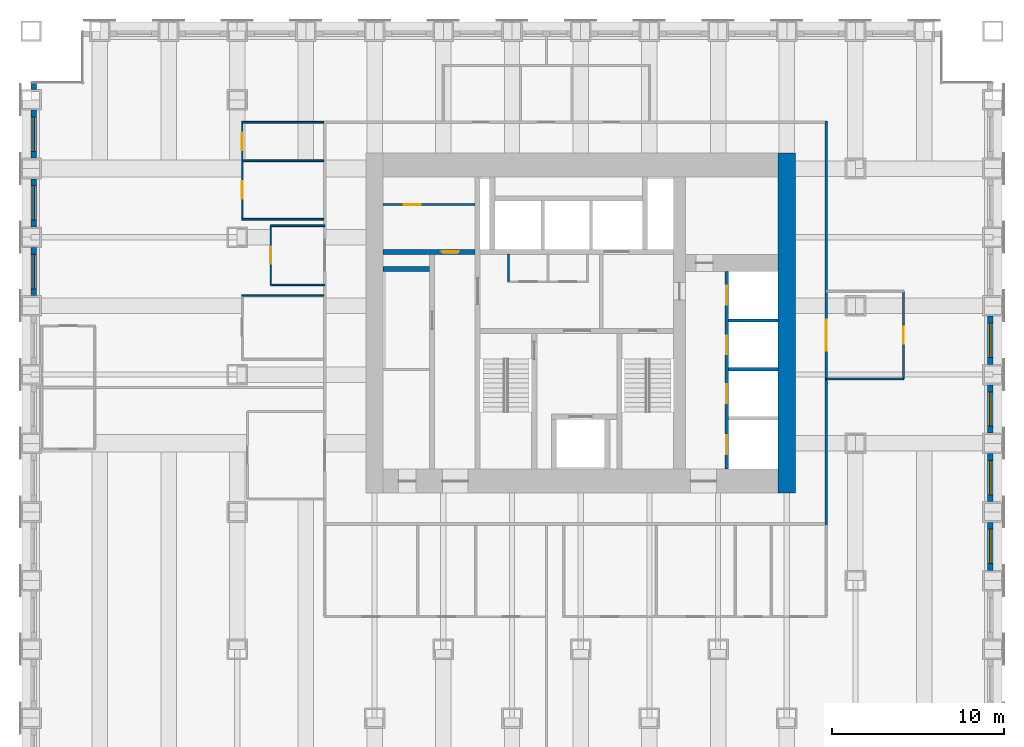
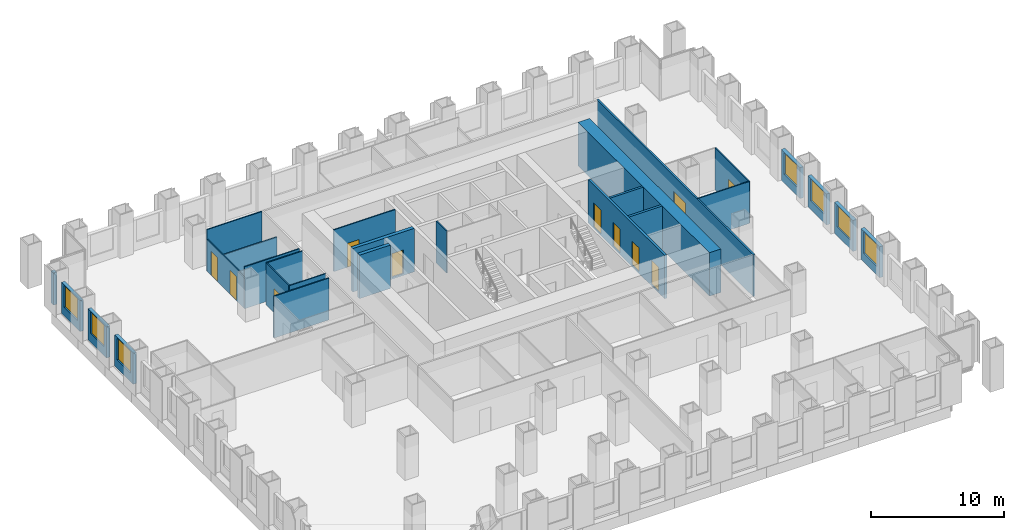
# One storey, part 11 of 15: 27 walls, 11 doors, 7 windows, 18 openings.
"""IFC4 building model written with IfcOpenShell, lengths in metres."""

from ifc_helpers import new_model, si_unit, direction, frame, frame_2d, origin, place, context, subcontext, project, spatial, rectangle, extrude, material, layer, layer_set, type_object, element, fill, save


model = new_model("IFC4")

# Units and contexts
model_context = context("Model", 3, precision=1e-05, world=origin(), true_north=direction((0.0, 1.0)))
body_context = subcontext(model_context, "Body", "Model", "MODEL_VIEW")
ifc_project = project(units=[si_unit("LENGTHUNIT", "METRE"), si_unit("AREAUNIT", "SQUARE_METRE"), si_unit("VOLUMEUNIT", "CUBIC_METRE"), si_unit("PLANEANGLEUNIT", "RADIAN"), si_unit("MASSUNIT", "GRAM", prefix="KILO")], contexts=[model_context])

# Site, building, storey
site_placement = place(None, origin())
site = spatial("IfcSite", under=ifc_project, at=site_placement, CompositionType="ELEMENT")
building_placement = place(site_placement, origin())
building = spatial("IfcBuilding", under=site, at=building_placement, Name="Rimbunsela Tower", CompositionType="ELEMENT")
storey_placement = place(building_placement, frame((0.0, 0.0, 27.0)))
storey = spatial("IfcBuildingStorey", under=building, at=storey_placement, Name="L06", CompositionType="ELEMENT", Elevation=27.0)

# Wall, opening, door
ifc_material_1 = material(Name="Concrete fc' 80 MPa", Category="concrete")
ifc_layer_1 = layer(ifc_material_1, 0.300048828125)
ifc_layer_set_1 = layer_set([ifc_layer_1], Name="Core internal wall 300")
wall_type_1 = type_object("IfcWallType", Name="Core internal wall 300", PredefinedType="SHEAR", material=ifc_layer_set_1)
wall_1_placement = place(storey_placement, frame((18.5, 31.14990234375, -0.14990234375), z_axis=(0.0, 0.0, 1.0), x_axis=(1.0, 0.0, 0.0)))
wall_1 = element("IfcWall", 1, at=wall_1_placement, inside=storey, type_object=wall_type_1, Name="Store wall", PredefinedType="SHEAR", context=body_context, shape_type="SweptSolid", body=[
    extrude(rectangle(XDim=5.35009765625, YDim=0.300048828125, at=frame_2d((2.675048828125, 0.0))), origin(), (0.0, 0.0, 1.0), 4.0),
])
opening_1_placement = place(wall_1_placement, frame((3.39990234375, 0.0, 0.14990234375)))
opening_1 = element("IfcOpeningElement", 2, at=opening_1_placement, cuts=wall_1, Name="Opening D19", PredefinedType="OPENING", context=body_context, shape_type="SweptSolid", body=[
    extrude(rectangle(XDim=1.0, YDim=2.199951171875, at=frame_2d((0.5, 1.10009765625))), frame((0.0, 0.159912109375, 0.0), z_axis=(0.0, -1.0, 0.0), x_axis=(1.0, 0.0, 0.0)), (0.0, 0.0, 1.0), 0.320068359375),
])
ifc_material_2 = material(Name="Steel door, fire rated", Category="steel")
door_type_1 = type_object("IfcDoorType", Name="Service door 1000 fire rated", OperationType="SINGLE_SWING_LEFT", PredefinedType="DOOR", material=ifc_material_2)
door_1_placement = place(opening_1_placement, origin())
door_1 = element("IfcDoor", 3, at=door_1_placement, inside=storey, type_object=door_type_1, Name="Cleaners store door", OperationType="SINGLE_SWING_LEFT", OverallHeight=2.199951171875, OverallWidth=1.0, PredefinedType="DOOR", context=body_context, shape_type="SweptSolid", body=[
    extrude(rectangle(XDim=1.0, YDim=2.199951171875, at=frame_2d((0.5, 1.10009765625))), frame((0.0, 0.02490234375, 0.0), z_axis=(0.0, -1.0, 0.0), x_axis=(1.0, 0.0, 0.0)), (0.0, 0.0, 1.0), 0.050048828125),
])
fill(opening_1, door_1)

# Wall
wall_2_placement = place(storey_placement, frame((18.5, 30.14990234375, -0.14990234375), z_axis=(0.0, 0.0, 1.0), x_axis=(1.0, 0.0, 0.0)))
element("IfcWall", 4, at=wall_2_placement, inside=storey, type_object=wall_type_1, Name="Lift shaft rear west", PredefinedType="SHEAR", context=body_context, shape_type="SweptSolid", body=[
    extrude(rectangle(XDim=2.699951171875, YDim=0.300048828125, at=frame_2d((1.35009765625, 0.0))), origin(), (0.0, 0.0, 1.0), 4.0),
])

# Wall, opening, door
ifc_material_3 = material(Name="Concrete blockwork", Category="masonry")
ifc_layer_2 = layer(ifc_material_3, 0.10009765625)
ifc_layer_set_2 = layer_set([ifc_layer_2], Name="Core room partition 100")
wall_type_2 = type_object("IfcWallType", Name="Core room partition 100", PredefinedType="PARTITIONING", material=ifc_layer_set_2)
wall_3_placement = place(storey_placement, frame((18.5, 33.89990234375, 0.0), z_axis=(0.0, 0.0, 1.0), x_axis=(1.0, 0.0, 0.0)))
wall_3 = element("IfcWall", 5, at=wall_3_placement, inside=storey, type_object=wall_type_2, Name="Equipment store wall", PredefinedType="PARTITIONING", context=body_context, shape_type="SweptSolid", body=[
    extrude(rectangle(XDim=5.35009765625, YDim=0.10009765625, at=frame_2d((2.675048828125, 0.0))), origin(), (0.0, 0.0, 1.0), 3.85009765625),
])
opening_2_placement = place(wall_3_placement, frame((1.199951171875, 0.0, 0.0)))
opening_2 = element("IfcOpeningElement", 6, at=opening_2_placement, cuts=wall_3, Name="Opening D19", PredefinedType="OPENING", context=body_context, shape_type="SweptSolid", body=[
    extrude(rectangle(XDim=1.0, YDim=2.199951171875, at=frame_2d((0.5, 1.10009765625))), frame((0.0, 0.06005859375, 0.0), z_axis=(0.0, -1.0, 0.0), x_axis=(1.0, 0.0, 0.0)), (0.0, 0.0, 1.0), 0.1201171875),
])
door_2_placement = place(opening_2_placement, origin())
door_2 = element("IfcDoor", 7, at=door_2_placement, inside=storey, type_object=door_type_1, Name="Equipment store door", OperationType="SINGLE_SWING_LEFT", OverallHeight=2.199951171875, OverallWidth=1.0, PredefinedType="DOOR", context=body_context, shape_type="SweptSolid", body=[
    extrude(rectangle(XDim=1.0, YDim=2.199951171875, at=frame_2d((0.5, 1.10009765625))), frame((0.0, 0.02490234375, 0.0), z_axis=(0.0, -1.0, 0.0), x_axis=(1.0, 0.0, 0.0)), (0.0, 0.0, 1.0), 0.050048828125),
])
fill(opening_2, door_2)

# Walls
wall_4_placement = place(storey_placement, frame((25.800048828125, 29.449951171875, 0.0), z_axis=(0.0, 0.0, 1.0), x_axis=(0.0, 1.0, 0.0)))
element("IfcWall", 8, at=wall_4_placement, inside=storey, type_object=wall_type_2, Name="Lobby room wall", PredefinedType="PARTITIONING", context=body_context, shape_type="SweptSolid", body=[
    extrude(rectangle(XDim=1.550048828125, YDim=0.10009765625, at=frame_2d((0.77490234375, 0.0))), origin(), (0.0, 0.0, 1.0), 3.85009765625),
])
ifc_material_4 = material(Name="Concrete fc' 80 MPa", Category="concrete")
ifc_layer_3 = layer(ifc_material_4, 1.0)
ifc_layer_set_3 = layer_set([ifc_layer_3], Name="Core wall 1000")
wall_type_3 = type_object("IfcWallType", Name="Core wall 1000", PredefinedType="SHEAR", material=ifc_layer_set_3)
wall_5_placement = place(storey_placement, frame((42.0, 17.10009765625, -0.14990234375), z_axis=(0.0, 0.0, 1.0), x_axis=(0.0, 1.0, 0.0)))
element("IfcWall", 9, at=wall_5_placement, inside=storey, type_object=wall_type_3, Name="Core wall east", PredefinedType="SHEAR", context=body_context, shape_type="SweptSolid", body=[
    extrude(rectangle(XDim=19.7998046875, YDim=1.0, at=frame_2d((9.89990234375, 0.0))), origin(), (0.0, 0.0, 1.0), 4.0),
])

# Wall, openings, doors
ifc_material_5 = material(Name="Concrete blockwork", Category="masonry")
ifc_layer_4 = layer(ifc_material_5, 0.199951171875)
ifc_layer_set_4 = layer_set([ifc_layer_4], Name="Lift shaft wall 200")
wall_type_4 = type_object("IfcWallType", Name="Lift shaft wall 200", PredefinedType="SOLIDWALL", material=ifc_layer_set_4)
wall_6_placement = place(storey_placement, frame((38.5, 18.5, -0.14990234375), z_axis=(0.0, 0.0, 1.0), x_axis=(0.0, 1.0, 0.0)))
wall_6 = element("IfcWall", 10, at=wall_6_placement, inside=storey, type_object=wall_type_4, Name="Lift shaft front east", PredefinedType="SOLIDWALL", context=body_context, shape_type="SweptSolid", body=[
    extrude(rectangle(XDim=11.5, YDim=0.199951171875, at=frame_2d((5.75, 0.0))), origin(), (0.0, 0.0, 1.0), 4.0),
])
opening_3_placement = place(wall_6_placement, frame((0.875, 0.0, 0.14990234375)))
opening_3 = element("IfcOpeningElement", 11, at=opening_3_placement, cuts=wall_6, Name="Opening LD1", PredefinedType="OPENING", context=body_context, shape_type="SweptSolid", body=[
    extrude(rectangle(XDim=1.10009765625, YDim=2.199951171875, at=frame_2d((0.550048828125, 1.10009765625))), frame((0.0, 0.10986328125, 0.0), z_axis=(0.0, -1.0, 0.0), x_axis=(1.0, 0.0, 0.0)), (0.0, 0.0, 1.0), 0.219970703125),
])
opening_4_placement = place(wall_6_placement, frame((3.824951171875, 0.0, 0.14990234375)))
opening_4 = element("IfcOpeningElement", 12, at=opening_4_placement, cuts=wall_6, Name="Opening LD1", PredefinedType="OPENING", context=body_context, shape_type="SweptSolid", body=[
    extrude(rectangle(XDim=1.10009765625, YDim=2.199951171875, at=frame_2d((0.550048828125, 1.10009765625))), frame((0.0, 0.10986328125, 0.0), z_axis=(0.0, -1.0, 0.0), x_axis=(1.0, 0.0, 0.0)), (0.0, 0.0, 1.0), 0.219970703125),
])
opening_5_placement = place(wall_6_placement, frame((6.675048828125, 0.0, 0.14990234375)))
opening_5 = element("IfcOpeningElement", 13, at=opening_5_placement, cuts=wall_6, Name="Opening LD1", PredefinedType="OPENING", context=body_context, shape_type="SweptSolid", body=[
    extrude(rectangle(XDim=1.10009765625, YDim=2.199951171875, at=frame_2d((0.550048828125, 1.10009765625))), frame((0.0, 0.10986328125, 0.0), z_axis=(0.0, -1.0, 0.0), x_axis=(1.0, 0.0, 0.0)), (0.0, 0.0, 1.0), 0.219970703125),
])
opening_6_placement = place(wall_6_placement, frame((9.574951171875, 0.0, 0.14990234375)))
opening_6 = element("IfcOpeningElement", 14, at=opening_6_placement, cuts=wall_6, Name="Opening LD1", PredefinedType="OPENING", context=body_context, shape_type="SweptSolid", body=[
    extrude(rectangle(XDim=1.10009765625, YDim=2.199951171875, at=frame_2d((0.550048828125, 1.10009765625))), frame((0.0, 0.10986328125, 0.0), z_axis=(0.0, -1.0, 0.0), x_axis=(1.0, 0.0, 0.0)), (0.0, 0.0, 1.0), 0.219970703125),
])
ifc_material_6 = material(Name="Steel door, fire rated", Category="steel")
door_type_2 = type_object("IfcDoorType", Name="Lift landing door 1100", OperationType="DOUBLE_DOOR_SLIDING", PredefinedType="DOOR", material=ifc_material_6)
door_3_placement = place(opening_3_placement, origin())
door_3 = element("IfcDoor", 15, at=door_3_placement, inside=storey, type_object=door_type_2, Name="Lift landing door LL1", OperationType="DOUBLE_DOOR_SLIDING", OverallHeight=2.199951171875, OverallWidth=1.10009765625, PredefinedType="DOOR", context=body_context, shape_type="SweptSolid", body=[
    extrude(rectangle(XDim=1.10009765625, YDim=2.199951171875, at=frame_2d((0.550048828125, 1.10009765625))), frame((0.0, 0.02490234375, 0.0), z_axis=(0.0, -1.0, 0.0), x_axis=(1.0, 0.0, 0.0)), (0.0, 0.0, 1.0), 0.050048828125),
])
fill(opening_3, door_3)
door_4_placement = place(opening_4_placement, origin())
door_4 = element("IfcDoor", 16, at=door_4_placement, inside=storey, type_object=door_type_2, Name="Lift landing door LL2", OperationType="DOUBLE_DOOR_SLIDING", OverallHeight=2.199951171875, OverallWidth=1.10009765625, PredefinedType="DOOR", context=body_context, shape_type="SweptSolid", body=[
    extrude(rectangle(XDim=1.10009765625, YDim=2.199951171875, at=frame_2d((0.550048828125, 1.10009765625))), frame((0.0, 0.02490234375, 0.0), z_axis=(0.0, -1.0, 0.0), x_axis=(1.0, 0.0, 0.0)), (0.0, 0.0, 1.0), 0.050048828125),
])
fill(opening_4, door_4)
door_5_placement = place(opening_5_placement, origin())
door_5 = element("IfcDoor", 17, at=door_5_placement, inside=storey, type_object=door_type_2, Name="Lift landing door LL3", OperationType="DOUBLE_DOOR_SLIDING", OverallHeight=2.199951171875, OverallWidth=1.10009765625, PredefinedType="DOOR", context=body_context, shape_type="SweptSolid", body=[
    extrude(rectangle(XDim=1.10009765625, YDim=2.199951171875, at=frame_2d((0.550048828125, 1.10009765625))), frame((0.0, 0.02490234375, 0.0), z_axis=(0.0, -1.0, 0.0), x_axis=(1.0, 0.0, 0.0)), (0.0, 0.0, 1.0), 0.050048828125),
])
fill(opening_5, door_5)
door_6_placement = place(opening_6_placement, origin())
door_6 = element("IfcDoor", 18, at=door_6_placement, inside=storey, type_object=door_type_2, Name="Lift landing door LL4", OperationType="DOUBLE_DOOR_SLIDING", OverallHeight=2.199951171875, OverallWidth=1.10009765625, PredefinedType="DOOR", context=body_context, shape_type="SweptSolid", body=[
    extrude(rectangle(XDim=1.10009765625, YDim=2.199951171875, at=frame_2d((0.550048828125, 1.10009765625))), frame((0.0, 0.02490234375, 0.0), z_axis=(0.0, -1.0, 0.0), x_axis=(1.0, 0.0, 0.0)), (0.0, 0.0, 1.0), 0.050048828125),
])
fill(opening_6, door_6)

# Walls
for number, where, z_axis, x_axis, name in (
    (19, (38.60009765625, 24.300048828125, -0.14990234375), (0.0, 0.0, 1.0), (1.0, 0.0, 0.0), "Lift shaft separation"),
    (20, (38.60009765625, 27.14990234375, -0.14990234375), (0.0, 0.0, 1.0), (1.0, 0.0, 0.0), "Lift shaft separation"),
):
    element("IfcWall", number, at=place(storey_placement, frame(where, z_axis=z_axis, x_axis=x_axis)), inside=storey, type_object=wall_type_4, Name=name, PredefinedType="SOLIDWALL", context=body_context, shape_type="SweptSolid", body=[
        extrude(rectangle(XDim=2.89990234375, YDim=0.199951171875, at=frame_2d((1.449951171875, 0.0))), origin(), (0.0, 0.0, 1.0), 4.0),
    ])
ifc_material_7 = material(Name="Gypsum board on steel studs", Category="steel")
ifc_layer_5 = layer(ifc_material_7, 0.10009765625)
ifc_layer_set_5 = layer_set([ifc_layer_5], Name="Office partition 100")
wall_type_5 = type_object("IfcWallType", Name="Office partition 100", PredefinedType="PARTITIONING", material=ifc_layer_set_5)
for number, where, z_axis, x_axis, name in (
    (21, (10.25, 28.60009765625, 0.0), (0.0, 0.0, 1.0), (1.0, 0.0, 0.0), "Office partition"),
    (22, (10.25, 33.050048828125, 0.0), (0.0, 0.0, 1.0), (1.0, 0.0, 0.0), "Office partition"),
):
    element("IfcWall", number, at=place(storey_placement, frame(where, z_axis=z_axis, x_axis=x_axis)), inside=storey, type_object=wall_type_5, Name=name, PredefinedType="PARTITIONING", context=body_context, shape_type="SweptSolid", body=[
        extrude(rectangle(XDim=4.77490234375, YDim=0.10009765625, at=frame_2d((2.387451171875, 0.0))), origin(), (0.0, 0.0, 1.0), 3.85009765625),
    ])
wall_7_placement = place(storey_placement, frame((10.35009765625, 36.449951171875, 0.0), z_axis=(0.0, 0.0, 1.0), x_axis=(1.0, 0.0, 0.0)))
element("IfcWall", 23, at=wall_7_placement, inside=storey, type_object=wall_type_5, Name="Office partition", PredefinedType="PARTITIONING", context=body_context, shape_type="SweptSolid", body=[
    extrude(rectangle(XDim=4.6748046875, YDim=0.10009765625, at=frame_2d((2.33740234375, 0.0))), origin(), (0.0, 0.0, 1.0), 2.85009765625),
])
wall_8_placement = place(storey_placement, frame((10.25, 38.699951171875, 0.0), z_axis=(0.0, 0.0, 1.0), x_axis=(1.0, 0.0, 0.0)))
element("IfcWall", 24, at=wall_8_placement, inside=storey, type_object=wall_type_5, Name="Office partition", PredefinedType="PARTITIONING", context=body_context, shape_type="SweptSolid", body=[
    extrude(rectangle(XDim=4.77490234375, YDim=0.10009765625, at=frame_2d((2.387451171875, 0.0))), origin(), (0.0, 0.0, 1.0), 3.85009765625),
])

# Wall, openings, doors
wall_9_placement = place(storey_placement, frame((10.300048828125, 33.10009765625, 0.0), z_axis=(0.0, 0.0, 1.0), x_axis=(0.0, 1.0, 0.0)))
wall_9 = element("IfcWall", 25, at=wall_9_placement, inside=storey, type_object=wall_type_5, Name="Office partition", PredefinedType="PARTITIONING", context=body_context, shape_type="SweptSolid", body=[
    extrude(rectangle(XDim=5.5498046875, YDim=0.10009765625, at=frame_2d((2.77490234375, 0.0))), origin(), (0.0, 0.0, 1.0), 2.949951171875),
])
opening_7_placement = place(wall_9_placement, frame((1.14990234375, 0.0, 0.0)))
opening_7 = element("IfcOpeningElement", 26, at=opening_7_placement, cuts=wall_9, Name="Opening D16", PredefinedType="OPENING", context=body_context, shape_type="SweptSolid", body=[
    extrude(rectangle(XDim=1.0, YDim=2.199951171875, at=frame_2d((0.5, 1.10009765625))), frame((0.0, 0.06005859375, 0.0), z_axis=(0.0, -1.0, 0.0), x_axis=(1.0, 0.0, 0.0)), (0.0, 0.0, 1.0), 0.1201171875),
])
opening_8_placement = place(wall_9_placement, frame((3.97509765625, 0.0, 0.0)))
opening_8 = element("IfcOpeningElement", 27, at=opening_8_placement, cuts=wall_9, Name="Opening D16", PredefinedType="OPENING", context=body_context, shape_type="SweptSolid", body=[
    extrude(rectangle(XDim=1.0, YDim=2.199951171875, at=frame_2d((0.5, 1.10009765625))), frame((0.0, 0.06005859375, 0.0), z_axis=(0.0, -1.0, 0.0), x_axis=(1.0, 0.0, 0.0)), (0.0, 0.0, 1.0), 0.1201171875),
])
ifc_material_8 = material(Name="Timber door", Category="wood")
door_type_3 = type_object("IfcDoorType", Name="Office door 1000", OperationType="SINGLE_SWING_LEFT", PredefinedType="DOOR", material=ifc_material_8)
door_7_placement = place(opening_7_placement, origin())
door_7 = element("IfcDoor", 28, at=door_7_placement, inside=storey, type_object=door_type_3, Name="Office door", OperationType="SINGLE_SWING_LEFT", OverallHeight=2.199951171875, OverallWidth=1.0, PredefinedType="DOOR", context=body_context, shape_type="SweptSolid", body=[
    extrude(rectangle(XDim=1.0, YDim=2.199951171875, at=frame_2d((0.5, 1.10009765625))), frame((0.0, 0.02490234375, 0.0), z_axis=(0.0, -1.0, 0.0), x_axis=(1.0, 0.0, 0.0)), (0.0, 0.0, 1.0), 0.050048828125),
])
fill(opening_7, door_7)
door_8_placement = place(opening_8_placement, origin())
door_8 = element("IfcDoor", 29, at=door_8_placement, inside=storey, type_object=door_type_3, Name="Office door", OperationType="SINGLE_SWING_LEFT", OverallHeight=2.199951171875, OverallWidth=1.0, PredefinedType="DOOR", context=body_context, shape_type="SweptSolid", body=[
    extrude(rectangle(XDim=1.0, YDim=2.199951171875, at=frame_2d((0.5, 1.10009765625))), frame((0.0, 0.02490234375, 0.0), z_axis=(0.0, -1.0, 0.0), x_axis=(1.0, 0.0, 0.0)), (0.0, 0.0, 1.0), 0.050048828125),
])
fill(opening_8, door_8)

# Wall
wall_10_placement = place(storey_placement, frame((15.10009765625, 32.675048828125, 0.0), z_axis=(0.0, 0.0, 1.0), x_axis=(-1.0, 0.0, 0.0)))
element("IfcWall", 30, at=wall_10_placement, inside=storey, type_object=wall_type_5, Name="Office partition", PredefinedType="PARTITIONING", context=body_context, shape_type="SweptSolid", body=[
    extrude(rectangle(XDim=3.150146484375, YDim=0.10009765625, at=frame_2d((1.5751953125, 0.0))), origin(), (0.0, 0.0, 1.0), 3.85009765625),
])

# Wall, opening, door
wall_11_placement = place(storey_placement, frame((11.949951171875, 32.675048828125, 0.0), z_axis=(0.0, 0.0, 1.0), x_axis=(0.0, -1.0, 0.0)))
wall_11 = element("IfcWall", 31, at=wall_11_placement, inside=storey, type_object=wall_type_5, Name="Office partition", PredefinedType="PARTITIONING", context=body_context, shape_type="SweptSolid", body=[
    extrude(rectangle(XDim=3.449951171875, YDim=0.10009765625, at=frame_2d((1.72509765625, 0.0))), origin(), (0.0, 0.0, 1.0), 3.85009765625),
])
opening_9_placement = place(wall_11_placement, frame((1.22509765625, 0.0, 0.0)))
opening_9 = element("IfcOpeningElement", 32, at=opening_9_placement, cuts=wall_11, Name="Opening D17", PredefinedType="OPENING", context=body_context, shape_type="SweptSolid", body=[
    extrude(rectangle(XDim=1.0, YDim=2.199951171875, at=frame_2d((0.5, 1.10009765625))), frame((0.0, 0.06005859375, 0.0), z_axis=(0.0, -1.0, 0.0), x_axis=(1.0, 0.0, 0.0)), (0.0, 0.0, 1.0), 0.1201171875),
])
ifc_material_9 = material(Name="Glazed aluminium door", Category="aluminium")
door_type_4 = type_object("IfcDoorType", Name="Meeting room door 1000 glazed", OperationType="SINGLE_SWING_RIGHT", PredefinedType="DOOR", material=ifc_material_9)
door_9_placement = place(opening_9_placement, origin())
door_9 = element("IfcDoor", 33, at=door_9_placement, inside=storey, type_object=door_type_4, Name="Reception door", OperationType="SINGLE_SWING_RIGHT", OverallHeight=2.199951171875, OverallWidth=1.0, PredefinedType="DOOR", context=body_context, shape_type="SweptSolid", body=[
    extrude(rectangle(XDim=1.0, YDim=2.199951171875, at=frame_2d((0.5, 1.10009765625))), frame((0.0, 0.02490234375, 0.0), z_axis=(0.0, -1.0, 0.0), x_axis=(1.0, 0.0, 0.0)), (0.0, 0.0, 1.0), 0.050048828125),
])
fill(opening_9, door_9)

# Walls
wall_12_placement = place(storey_placement, frame((11.949951171875, 29.22509765625, 0.0), z_axis=(0.0, 0.0, 1.0), x_axis=(1.0, 0.0, 0.0)))
element("IfcWall", 34, at=wall_12_placement, inside=storey, type_object=wall_type_5, Name="Office partition", PredefinedType="PARTITIONING", context=body_context, shape_type="SweptSolid", body=[
    extrude(rectangle(XDim=3.150146484375, YDim=0.10009765625, at=frame_2d((1.5751953125, 0.0))), origin(), (0.0, 0.0, 1.0), 3.85009765625),
])
wall_13_placement = place(storey_placement, frame((44.300048828125, 23.75, 0.0), z_axis=(0.0, 0.0, 1.0), x_axis=(1.0, 0.0, 0.0)))
element("IfcWall", 35, at=wall_13_placement, inside=storey, type_object=wall_type_5, Name="Office partition", PredefinedType="PARTITIONING", context=body_context, shape_type="SweptSolid", body=[
    extrude(rectangle(XDim=4.5, YDim=0.10009765625, at=frame_2d((2.25, 0.0))), origin(), (0.0, 0.0, 1.0), 3.85009765625),
])

# Wall, opening, door
wall_14_placement = place(storey_placement, frame((48.800048828125, 23.75, 0.0), z_axis=(0.0, 0.0, 1.0), x_axis=(0.0, 1.0, 0.0)))
wall_14 = element("IfcWall", 36, at=wall_14_placement, inside=storey, type_object=wall_type_5, Name="Office partition", PredefinedType="PARTITIONING", context=body_context, shape_type="SweptSolid", body=[
    extrude(rectangle(XDim=5.10009765625, YDim=0.10009765625, at=frame_2d((2.550048828125, 0.0))), origin(), (0.0, 0.0, 1.0), 3.85009765625),
])
opening_10_placement = place(wall_14_placement, frame((2.050048828125, 0.0, 0.0)))
opening_10 = element("IfcOpeningElement", 37, at=opening_10_placement, cuts=wall_14, Name="Opening D17", PredefinedType="OPENING", context=body_context, shape_type="SweptSolid", body=[
    extrude(rectangle(XDim=1.0, YDim=2.199951171875, at=frame_2d((0.5, 1.10009765625))), frame((0.0, 0.06005859375, 0.0), z_axis=(0.0, -1.0, 0.0), x_axis=(1.0, 0.0, 0.0)), (0.0, 0.0, 1.0), 0.1201171875),
])
door_10_placement = place(opening_10_placement, origin())
door_10 = element("IfcDoor", 38, at=door_10_placement, inside=storey, type_object=door_type_4, Name="Reception door", OperationType="SINGLE_SWING_RIGHT", OverallHeight=2.199951171875, OverallWidth=1.0, PredefinedType="DOOR", context=body_context, shape_type="SweptSolid", body=[
    extrude(rectangle(XDim=1.0, YDim=2.199951171875, at=frame_2d((0.5, 1.10009765625))), frame((0.0, 0.02490234375, 0.0), z_axis=(0.0, -1.0, 0.0), x_axis=(1.0, 0.0, 0.0)), (0.0, 0.0, 1.0), 0.050048828125),
])
fill(opening_10, door_10)

# Wall, opening, window
ifc_material_10 = material(Name="Precast concrete fc' 35 MPa", Category="concrete")
ifc_layer_6 = layer(ifc_material_10, 0.300048828125)
ifc_layer_set_6 = layer_set([ifc_layer_6], Name="Precast concrete fc' 35 MPa")
wall_type_6 = type_object("IfcWallType", Name="Precast facade panel 300", PredefinedType="ELEMENTEDWALL", material=ifc_layer_set_6)
wall_15_placement = place(storey_placement, frame((53.85009765625, 12.60009765625, 0.0), z_axis=(0.0, 0.0, 1.0), x_axis=(0.0, 1.0, 0.0)))
wall_15 = element("IfcWall", 39, at=wall_15_placement, inside=storey, type_object=wall_type_6, Name="Facade panel E L06", PredefinedType="ELEMENTEDWALL", context=body_context, shape_type="SweptSolid", body=[
    extrude(rectangle(XDim=2.7998046875, YDim=0.300048828125, at=frame_2d((1.39990234375, 0.0))), origin(), (0.0, 0.0, 1.0), 2.85009765625),
])
opening_11_placement = place(wall_15_placement, frame((0.39990234375, 0.0, 0.800048828125)))
opening_11 = element("IfcOpeningElement", 40, at=opening_11_placement, cuts=wall_15, Name="Opening W1", PredefinedType="OPENING", context=body_context, shape_type="SweptSolid", body=[
    extrude(rectangle(XDim=2.0, YDim=2.0, at=frame_2d((1.0, 1.0))), frame((0.0, 0.159912109375, 0.0), z_axis=(0.0, -1.0, 0.0), x_axis=(1.0, 0.0, 0.0)), (0.0, 0.0, 1.0), 0.320068359375),
])
ifc_material_11 = material(Name="Clear glass in aluminium frame", Category="aluminium")
window_type = type_object("IfcWindowType", Name="Window W1 2000x2000", PartitioningType="DOUBLE_PANEL_VERTICAL", PredefinedType="WINDOW", material=ifc_material_11)
window_1_placement = place(opening_11_placement, origin())
window_1 = element("IfcWindow", 41, at=window_1_placement, inside=storey, type_object=window_type, Name="Window L06", OverallHeight=2.0, OverallWidth=2.0, PartitioningType="SINGLE_PANEL", PredefinedType="WINDOW", context=body_context, shape_type="SweptSolid", body=[
    extrude(rectangle(XDim=2.0, YDim=2.0, at=frame_2d((1.0, 1.0))), frame((0.0, 0.030029296875, 0.0), z_axis=(0.0, -1.0, 0.0), x_axis=(1.0, 0.0, 0.0)), (0.0, 0.0, 1.0), 0.06005859375),
])
fill(opening_11, window_1)

wall_16_placement = place(storey_placement, frame((53.85009765625, 16.60009765625, 0.0), z_axis=(0.0, 0.0, 1.0), x_axis=(0.0, 1.0, 0.0)))
wall_16 = element("IfcWall", 42, at=wall_16_placement, inside=storey, type_object=wall_type_6, Name="Facade panel E L06", PredefinedType="ELEMENTEDWALL", context=body_context, shape_type="SweptSolid", body=[
    extrude(rectangle(XDim=2.7998046875, YDim=0.300048828125, at=frame_2d((1.39990234375, 0.0))), origin(), (0.0, 0.0, 1.0), 2.85009765625),
])
opening_12_placement = place(wall_16_placement, frame((0.39990234375, 0.0, 0.800048828125)))
opening_12 = element("IfcOpeningElement", 43, at=opening_12_placement, cuts=wall_16, Name="Opening W1", PredefinedType="OPENING", context=body_context, shape_type="SweptSolid", body=[
    extrude(rectangle(XDim=2.0, YDim=2.0, at=frame_2d((1.0, 1.0))), frame((0.0, 0.159912109375, 0.0), z_axis=(0.0, -1.0, 0.0), x_axis=(1.0, 0.0, 0.0)), (0.0, 0.0, 1.0), 0.320068359375),
])
window_2_placement = place(opening_12_placement, origin())
window_2 = element("IfcWindow", 44, at=window_2_placement, inside=storey, type_object=window_type, Name="Window L06", OverallHeight=2.0, OverallWidth=2.0, PartitioningType="SINGLE_PANEL", PredefinedType="WINDOW", context=body_context, shape_type="SweptSolid", body=[
    extrude(rectangle(XDim=2.0, YDim=2.0, at=frame_2d((1.0, 1.0))), frame((0.0, 0.030029296875, 0.0), z_axis=(0.0, -1.0, 0.0), x_axis=(1.0, 0.0, 0.0)), (0.0, 0.0, 1.0), 0.06005859375),
])
fill(opening_12, window_2)

wall_17_placement = place(storey_placement, frame((53.85009765625, 20.60009765625, 0.0), z_axis=(0.0, 0.0, 1.0), x_axis=(0.0, 1.0, 0.0)))
wall_17 = element("IfcWall", 45, at=wall_17_placement, inside=storey, type_object=wall_type_6, Name="Facade panel E L06", PredefinedType="ELEMENTEDWALL", context=body_context, shape_type="SweptSolid", body=[
    extrude(rectangle(XDim=2.7998046875, YDim=0.300048828125, at=frame_2d((1.39990234375, 0.0))), origin(), (0.0, 0.0, 1.0), 2.85009765625),
])
opening_13_placement = place(wall_17_placement, frame((0.39990234375, 0.0, 0.800048828125)))
opening_13 = element("IfcOpeningElement", 46, at=opening_13_placement, cuts=wall_17, Name="Opening W1", PredefinedType="OPENING", context=body_context, shape_type="SweptSolid", body=[
    extrude(rectangle(XDim=2.0, YDim=2.0, at=frame_2d((1.0, 1.0))), frame((0.0, 0.159912109375, 0.0), z_axis=(0.0, -1.0, 0.0), x_axis=(1.0, 0.0, 0.0)), (0.0, 0.0, 1.0), 0.320068359375),
])
window_3_placement = place(opening_13_placement, origin())
window_3 = element("IfcWindow", 47, at=window_3_placement, inside=storey, type_object=window_type, Name="Window L06", OverallHeight=2.0, OverallWidth=2.0, PartitioningType="SINGLE_PANEL", PredefinedType="WINDOW", context=body_context, shape_type="SweptSolid", body=[
    extrude(rectangle(XDim=2.0, YDim=2.0, at=frame_2d((1.0, 1.0))), frame((0.0, 0.030029296875, 0.0), z_axis=(0.0, -1.0, 0.0), x_axis=(1.0, 0.0, 0.0)), (0.0, 0.0, 1.0), 0.06005859375),
])
fill(opening_13, window_3)

wall_18_placement = place(storey_placement, frame((53.85009765625, 24.60009765625, 0.0), z_axis=(0.0, 0.0, 1.0), x_axis=(0.0, 1.0, 0.0)))
wall_18 = element("IfcWall", 48, at=wall_18_placement, inside=storey, type_object=wall_type_6, Name="Facade panel E L06", PredefinedType="ELEMENTEDWALL", context=body_context, shape_type="SweptSolid", body=[
    extrude(rectangle(XDim=2.7998046875, YDim=0.300048828125, at=frame_2d((1.39990234375, 0.0))), origin(), (0.0, 0.0, 1.0), 2.85009765625),
])
opening_14_placement = place(wall_18_placement, frame((0.39990234375, 0.0, 0.800048828125)))
opening_14 = element("IfcOpeningElement", 49, at=opening_14_placement, cuts=wall_18, Name="Opening W1", PredefinedType="OPENING", context=body_context, shape_type="SweptSolid", body=[
    extrude(rectangle(XDim=2.0, YDim=2.0, at=frame_2d((1.0, 1.0))), frame((0.0, 0.159912109375, 0.0), z_axis=(0.0, -1.0, 0.0), x_axis=(1.0, 0.0, 0.0)), (0.0, 0.0, 1.0), 0.320068359375),
])
window_4_placement = place(opening_14_placement, origin())
window_4 = element("IfcWindow", 50, at=window_4_placement, inside=storey, type_object=window_type, Name="Window L06", OverallHeight=2.0, OverallWidth=2.0, PartitioningType="SINGLE_PANEL", PredefinedType="WINDOW", context=body_context, shape_type="SweptSolid", body=[
    extrude(rectangle(XDim=2.0, YDim=2.0, at=frame_2d((1.0, 1.0))), frame((0.0, 0.030029296875, 0.0), z_axis=(0.0, -1.0, 0.0), x_axis=(1.0, 0.0, 0.0)), (0.0, 0.0, 1.0), 0.06005859375),
])
fill(opening_14, window_4)

wall_19_placement = place(storey_placement, frame((-1.85009765625, 31.39990234375, 0.0), z_axis=(0.0, 0.0, 1.0), x_axis=(0.0, -1.0, 0.0)))
wall_19 = element("IfcWall", 51, at=wall_19_placement, inside=storey, type_object=wall_type_6, Name="Facade panel W L06", PredefinedType="ELEMENTEDWALL", context=body_context, shape_type="SweptSolid", body=[
    extrude(rectangle(XDim=2.7998046875, YDim=0.300048828125, at=frame_2d((1.39990234375, 0.0))), origin(), (0.0, 0.0, 1.0), 2.85009765625),
])
opening_15_placement = place(wall_19_placement, frame((0.39990234375, 0.0, 0.800048828125)))
opening_15 = element("IfcOpeningElement", 52, at=opening_15_placement, cuts=wall_19, Name="Opening W1", PredefinedType="OPENING", context=body_context, shape_type="SweptSolid", body=[
    extrude(rectangle(XDim=2.0, YDim=2.0, at=frame_2d((1.0, 1.0))), frame((0.0, 0.159912109375, 0.0), z_axis=(0.0, -1.0, 0.0), x_axis=(1.0, 0.0, 0.0)), (0.0, 0.0, 1.0), 0.320068359375),
])
window_5_placement = place(opening_15_placement, origin())
window_5 = element("IfcWindow", 53, at=window_5_placement, inside=storey, type_object=window_type, Name="Window L06", OverallHeight=2.0, OverallWidth=2.0, PartitioningType="SINGLE_PANEL", PredefinedType="WINDOW", context=body_context, shape_type="SweptSolid", body=[
    extrude(rectangle(XDim=2.0, YDim=2.0, at=frame_2d((1.0, 1.0))), frame((0.0, 0.030029296875, 0.0), z_axis=(0.0, -1.0, 0.0), x_axis=(1.0, 0.0, 0.0)), (0.0, 0.0, 1.0), 0.06005859375),
])
fill(opening_15, window_5)

wall_20_placement = place(storey_placement, frame((-1.85009765625, 35.39990234375, 0.0), z_axis=(0.0, 0.0, 1.0), x_axis=(0.0, -1.0, 0.0)))
wall_20 = element("IfcWall", 54, at=wall_20_placement, inside=storey, type_object=wall_type_6, Name="Facade panel W L06", PredefinedType="ELEMENTEDWALL", context=body_context, shape_type="SweptSolid", body=[
    extrude(rectangle(XDim=2.7998046875, YDim=0.300048828125, at=frame_2d((1.39990234375, 0.0))), origin(), (0.0, 0.0, 1.0), 2.85009765625),
])
opening_16_placement = place(wall_20_placement, frame((0.39990234375, 0.0, 0.800048828125)))
opening_16 = element("IfcOpeningElement", 55, at=opening_16_placement, cuts=wall_20, Name="Opening W1", PredefinedType="OPENING", context=body_context, shape_type="SweptSolid", body=[
    extrude(rectangle(XDim=2.0, YDim=2.0, at=frame_2d((1.0, 1.0))), frame((0.0, 0.159912109375, 0.0), z_axis=(0.0, -1.0, 0.0), x_axis=(1.0, 0.0, 0.0)), (0.0, 0.0, 1.0), 0.320068359375),
])
window_6_placement = place(opening_16_placement, origin())
window_6 = element("IfcWindow", 56, at=window_6_placement, inside=storey, type_object=window_type, Name="Window L06", OverallHeight=2.0, OverallWidth=2.0, PartitioningType="SINGLE_PANEL", PredefinedType="WINDOW", context=body_context, shape_type="SweptSolid", body=[
    extrude(rectangle(XDim=2.0, YDim=2.0, at=frame_2d((1.0, 1.0))), frame((0.0, 0.030029296875, 0.0), z_axis=(0.0, -1.0, 0.0), x_axis=(1.0, 0.0, 0.0)), (0.0, 0.0, 1.0), 0.06005859375),
])
fill(opening_16, window_6)

wall_21_placement = place(storey_placement, frame((-1.85009765625, 39.39990234375, 0.0), z_axis=(0.0, 0.0, 1.0), x_axis=(0.0, -1.0, 0.0)))
wall_21 = element("IfcWall", 57, at=wall_21_placement, inside=storey, type_object=wall_type_6, Name="Facade panel W L06", PredefinedType="ELEMENTEDWALL", context=body_context, shape_type="SweptSolid", body=[
    extrude(rectangle(XDim=2.7998046875, YDim=0.300048828125, at=frame_2d((1.39990234375, 0.0))), origin(), (0.0, 0.0, 1.0), 2.85009765625),
])
opening_17_placement = place(wall_21_placement, frame((0.39990234375, 0.0, 0.800048828125)))
opening_17 = element("IfcOpeningElement", 58, at=opening_17_placement, cuts=wall_21, Name="Opening W1", PredefinedType="OPENING", context=body_context, shape_type="SweptSolid", body=[
    extrude(rectangle(XDim=2.0, YDim=2.0, at=frame_2d((1.0, 1.0))), frame((0.0, 0.159912109375, 0.0), z_axis=(0.0, -1.0, 0.0), x_axis=(1.0, 0.0, 0.0)), (0.0, 0.0, 1.0), 0.320068359375),
])
window_7_placement = place(opening_17_placement, origin())
window_7 = element("IfcWindow", 59, at=window_7_placement, inside=storey, type_object=window_type, Name="Window L06", OverallHeight=2.0, OverallWidth=2.0, PartitioningType="SINGLE_PANEL", PredefinedType="WINDOW", context=body_context, shape_type="SweptSolid", body=[
    extrude(rectangle(XDim=2.0, YDim=2.0, at=frame_2d((1.0, 1.0))), frame((0.0, 0.030029296875, 0.0), z_axis=(0.0, -1.0, 0.0), x_axis=(1.0, 0.0, 0.0)), (0.0, 0.0, 1.0), 0.06005859375),
])
fill(opening_17, window_7)

# Wall
wall_22_placement = place(storey_placement, frame((-1.85009765625, 40.969970703125, 0.0), z_axis=(0.0, 0.0, 1.0), x_axis=(0.0, -1.0, 0.0)))
element("IfcWall", 60, at=wall_22_placement, inside=storey, type_object=wall_type_6, Name="Facade panel W L06", PredefinedType="ELEMENTEDWALL", context=body_context, shape_type="SweptSolid", body=[
    extrude(rectangle(XDim=0.369873046875, YDim=0.300048828125, at=frame_2d((0.18505859375, 0.0))), origin(), (0.0, 0.0, 1.0), 2.949951171875),
])

# Wall, opening, door
ifc_material_12 = material(Name="Fire-rated gypsum board on steel studs, EI 60", Category="steel")
ifc_layer_7 = layer(ifc_material_12, 0.14990234375)
ifc_layer_set_7 = layer_set([ifc_layer_7], Name="Rated corridor wall 150")
wall_type_7 = type_object("IfcWallType", Name="Rated corridor wall 150", PredefinedType="PARTITIONING", material=ifc_layer_set_7)
wall_23_placement = place(storey_placement, frame((44.300048828125, 15.22509765625, 0.0), z_axis=(0.0, 0.0, 1.0), x_axis=(0.0, 1.0, 0.0)))
wall_23 = element("IfcWall", 61, at=wall_23_placement, inside=storey, type_object=wall_type_7, Name="Corridor wall east", PredefinedType="PARTITIONING", context=body_context, shape_type="SweptSolid", body=[
    extrude(rectangle(XDim=23.5498046875, YDim=0.14990234375, at=frame_2d((11.77490234375, 0.0))), origin(), (0.0, 0.0, 1.0), 3.85009765625),
])
opening_18_placement = place(wall_23_placement, frame((10.175048828125, 0.0, 0.0)))
opening_18 = element("IfcOpeningElement", 62, at=opening_18_placement, cuts=wall_23, Name="Opening D09", PredefinedType="OPENING", context=body_context, shape_type="SweptSolid", body=[
    extrude(rectangle(XDim=1.800048828125, YDim=2.39990234375, at=frame_2d((0.89990234375, 1.199951171875))), frame((0.0, 0.0849609375, 0.0), z_axis=(0.0, -1.0, 0.0), x_axis=(1.0, 0.0, 0.0)), (0.0, 0.0, 1.0), 0.169921875),
])
ifc_material_13 = material(Name="Glazed aluminium door, fire rated", Category="aluminium")
door_type_5 = type_object("IfcDoorType", Name="Tenancy door 1800 glazed", OperationType="DOUBLE_DOOR_DOUBLE_SWING", PredefinedType="DOOR", material=ifc_material_13)
door_11_placement = place(opening_18_placement, origin())
door_11 = element("IfcDoor", 63, at=door_11_placement, inside=storey, type_object=door_type_5, Name="Tenancy door", OperationType="DOUBLE_DOOR_DOUBLE_SWING", OverallHeight=2.39990234375, OverallWidth=1.800048828125, PredefinedType="DOOR", context=body_context, shape_type="SweptSolid", body=[
    extrude(rectangle(XDim=1.800048828125, YDim=2.39990234375, at=frame_2d((0.89990234375, 1.199951171875))), frame((0.0, 0.02490234375, 0.0), z_axis=(0.0, -1.0, 0.0), x_axis=(1.0, 0.0, 0.0)), (0.0, 0.0, 1.0), 0.050048828125),
])
fill(opening_18, door_11)

save(model, "model.ifc")
